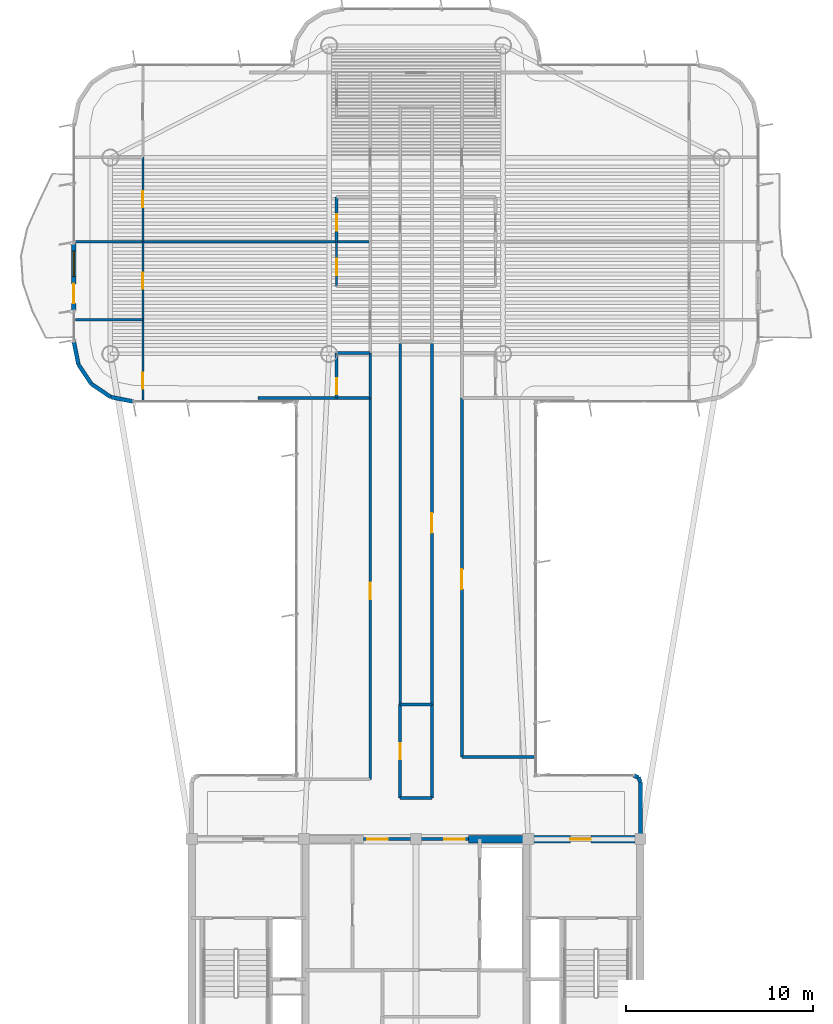
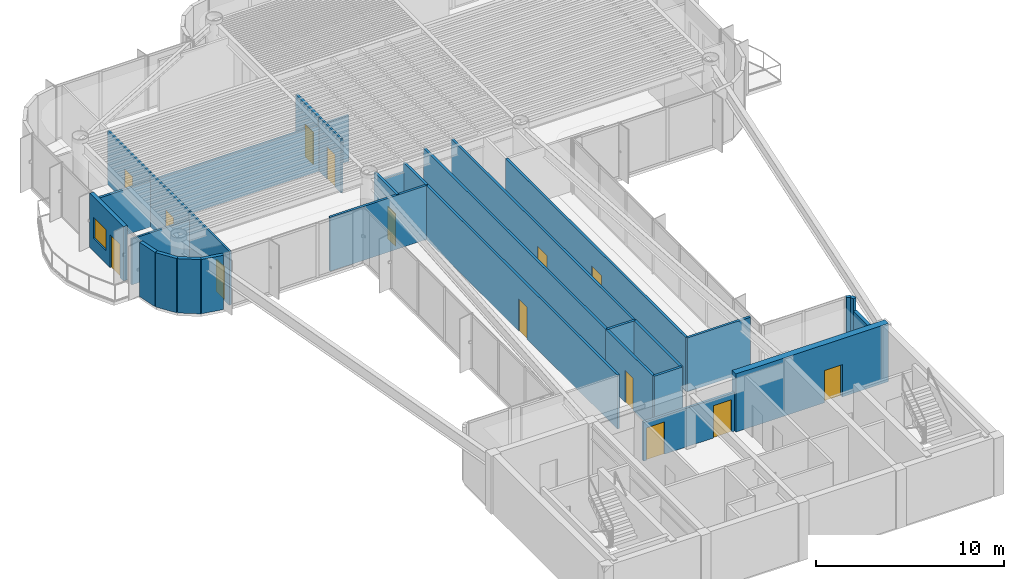
# One storey, part 11 of 16: 30 walls, 14 doors, 1 window, 15 openings.
"""IFC4 building model written with IfcOpenShell, lengths in metres."""

from ifc_helpers import new_model, si_unit, direction, frame, frame_2d, origin, origin_2d, place, context, subcontext, project, spatial, rectangle, extrude, source, transform, mapped, material, layer, layer_set, type_object, element, fill, save


model = new_model("IFC4")

# Units and contexts
model_context = context("Model", 3, precision=1e-05, world=origin(), true_north=direction((0.0, 1.0)))
body_context = subcontext(model_context, "Body", "Model", "MODEL_VIEW")
ifc_project = project(units=[si_unit("LENGTHUNIT", "METRE"), si_unit("AREAUNIT", "SQUARE_METRE"), si_unit("VOLUMEUNIT", "CUBIC_METRE"), si_unit("PLANEANGLEUNIT", "RADIAN"), si_unit("MASSUNIT", "GRAM", prefix="KILO")], contexts=[model_context])

# Site, building, storey
site_placement = place(None, origin())
site = spatial("IfcSite", under=ifc_project, at=site_placement, CompositionType="ELEMENT")
building_placement = place(site_placement, origin())
building = spatial("IfcBuilding", under=site, at=building_placement, Name="Brelvock Crest Care Tower", CompositionType="ELEMENT")
storey_placement = place(building_placement, frame((0.0, 0.0, 226.800048828125)))
storey = spatial("IfcBuildingStorey", under=building, at=storey_placement, Name="L57", CompositionType="ELEMENT", Elevation=226.800048828125)

# Wall, opening, door
ifc_material_1 = material(Name="Concrete S65 (65 MPa)", Category="concrete")
ifc_layer_1 = layer(ifc_material_1, 0.39990234375, Name="WL-CS4")
ifc_layer_set_1 = layer_set([ifc_layer_1], Name="Concrete S65 (65 MPa)")
wall_type_1 = type_object("IfcWallType", Name="WL-CS4", PredefinedType="SHEAR", material=ifc_layer_set_1)
wall_1_placement = place(storey_placement, frame((38.800048828125, 18.0, 0.0), z_axis=(0.0, 0.0, 1.0), x_axis=(1.0, 0.0, 0.0)))
wall_1 = element("IfcWall", 1, at=wall_1_placement, inside=storey, type_object=wall_type_1, Name="L57 Core North-East Shear Wall", PredefinedType="SHEAR", context=body_context, shape_type="SweptSolid", body=[
    extrude(rectangle(XDim=9.39990234375, YDim=0.39990234375, at=frame_2d((4.699951171875, 0.0))), origin(), (0.0, 0.0, 1.0), 3.780029296875),
])
opening_1_placement = place(wall_1_placement, frame((5.449951171875, 0.0, 0.0)))
opening_1 = element("IfcOpeningElement", 2, at=opening_1_placement, cuts=wall_1, Name="Opening FD-1", PredefinedType="OPENING", context=body_context, shape_type="SweptSolid", body=[
    extrude(rectangle(XDim=1.10009765625, YDim=2.10009765625, at=origin_2d()), frame((0.550048828125, 0.2099609375, 1.050048828125), z_axis=(0.0, -1.0, 0.0), x_axis=(1.0, 0.0, 0.0)), (0.0, 0.0, 1.0), 0.419921875),
])
ifc_material_2 = material(Name="Steel Grade 350", Category="steel")
door_type_1 = type_object("IfcDoorType", Name="DR-FFL1", OperationType="NOTDEFINED", PredefinedType="DOOR", material=ifc_material_2)
shared_shape_1 = source(origin(), body_context, "Body", "SweptSolid", [
    extrude(rectangle(XDim=1.10009765625, YDim=2.10009765625, at=origin_2d()), frame((0.550048828125, 0.02490234375, 1.050048828125), z_axis=(0.0, -1.0, 0.0), x_axis=(1.0, 0.0, 0.0)), (0.0, 0.0, 1.0), 0.050048828125),
])
door_1_placement = place(opening_1_placement, origin())
door_1 = element("IfcDoor", 3, at=door_1_placement, inside=storey, type_object=door_type_1, Name="L57 Firefighting Lobby FFL-2 Exit Door", OperationType="SINGLE_SWING_RIGHT", OverallHeight=2.10009765625, OverallWidth=1.10009765625, PredefinedType="DOOR", context=body_context, shape_type="MappedRepresentation", body=[
    mapped(shared_shape_1, transform((0.0, 0.0, 0.0), x_axis=(1.0, 0.0, 0.0), y_axis=(0.0, 1.0, 0.0), z_axis=(0.0, 0.0, 1.0), scale=1.0)),
])
fill(opening_1, door_1)

# Wall, openings, door, window
ifc_material_3 = material(Name="Precast concrete N40 (40 MPa)", Category="concrete")
ifc_layer_2 = layer(ifc_material_3, 0.239990234375, Name="WL-EX1")
ifc_layer_set_2 = layer_set([ifc_layer_2], Name="Precast concrete N40 (40 MPa)")
wall_type_2 = type_object("IfcWallType", Name="WL-EX1", PredefinedType="SOLIDWALL", material=ifc_layer_set_2)
wall_2_placement = place(storey_placement, frame((17.699951171875, 46.25, 0.0), z_axis=(0.0, 0.0, 1.0), x_axis=(0.0, 1.0, 0.0)))
wall_2 = element("IfcWall", 4, at=wall_2_placement, inside=storey, type_object=wall_type_2, Name="L57 Exterior Spandrel Wall WL-BAL-L57-W", PredefinedType="SOLIDWALL", context=body_context, shape_type="SweptSolid", body=[
    extrude(rectangle(XDim=3.60009765625, YDim=0.239990234375, at=frame_2d((1.800048828125, 0.0))), origin(), (0.0, 0.0, 1.0), 3.530029296875),
])
opening_2_placement = place(wall_2_placement, frame((0.39990234375, 0.0, 0.0)))
opening_2 = element("IfcOpeningElement", 5, at=opening_2_placement, cuts=wall_2, Name="Opening BD-1", PredefinedType="OPENING", context=body_context, shape_type="SweptSolid", body=[
    extrude(rectangle(XDim=1.050048828125, YDim=2.14990234375, at=origin_2d()), frame((0.52490234375, 0.1298828125, 1.074951171875), z_axis=(0.0, -1.0, 0.0), x_axis=(1.0, 0.0, 0.0)), (0.0, 0.0, 1.0), 0.260009765625),
])
opening_3_placement = place(wall_2_placement, frame((1.85009765625, 0.0, 0.85009765625)))
opening_3 = element("IfcOpeningElement", 6, at=opening_3_placement, cuts=wall_2, Name="Opening W-01", PredefinedType="OPENING", context=body_context, shape_type="SweptSolid", body=[
    extrude(rectangle(XDim=1.35009765625, YDim=1.35009765625, at=origin_2d()), frame((0.675048828125, 0.1298828125, 0.675048828125), z_axis=(0.0, -1.0, 0.0), x_axis=(1.0, 0.0, 0.0)), (0.0, 0.0, 1.0), 0.260009765625),
])
ifc_material_4 = material(Name="Dark Glass Double Glazed Low-E", Category="glass")
door_type_2 = type_object("IfcDoorType", Name="DR-BAL1", OperationType="NOTDEFINED", PredefinedType="DOOR", material=ifc_material_4)
shared_shape_2 = source(origin(), body_context, "Body", "SweptSolid", [
    extrude(rectangle(XDim=1.050048828125, YDim=2.14990234375, at=origin_2d()), frame((0.52490234375, 0.02490234375, 1.074951171875), z_axis=(0.0, -1.0, 0.0), x_axis=(1.0, 0.0, 0.0)), (0.0, 0.0, 1.0), 0.050048828125),
])
door_2_placement = place(opening_2_placement, origin())
door_2 = element("IfcDoor", 7, at=door_2_placement, inside=storey, type_object=door_type_2, Name="L57 W Wave Balcony Glazed Door", OperationType="SINGLE_SWING_LEFT", OverallHeight=2.14990234375, OverallWidth=1.050048828125, PredefinedType="DOOR", context=body_context, shape_type="MappedRepresentation", body=[
    mapped(shared_shape_2, transform((0.0, 0.0, 0.0), x_axis=(1.0, 0.0, 0.0), y_axis=(0.0, 1.0, 0.0), z_axis=(0.0, 0.0, 1.0), scale=1.0)),
])
fill(opening_2, door_2)
window_type = type_object("IfcWindowType", Name="WN-EX1", PartitioningType="SINGLE_PANEL", PredefinedType="WINDOW", material=ifc_material_4)
shared_shape_3 = source(origin(), body_context, "Body", "SweptSolid", [
    extrude(rectangle(XDim=1.35009765625, YDim=1.35009765625, at=origin_2d()), frame((0.675048828125, 0.030029296875, 0.675048828125), z_axis=(0.0, -1.0, 0.0), x_axis=(1.0, 0.0, 0.0)), (0.0, 0.0, 1.0), 0.06005859375),
])
window_placement = place(opening_3_placement, origin())
window = element("IfcWindow", 8, at=window_placement, inside=storey, type_object=window_type, Name="L57 W Suite Casement Window", OverallHeight=1.35009765625, OverallWidth=1.35009765625, PartitioningType="SINGLE_PANEL", PredefinedType="WINDOW", context=body_context, shape_type="MappedRepresentation", body=[
    mapped(shared_shape_3, transform((0.0, 0.0, 0.0), x_axis=(1.0, 0.0, 0.0), y_axis=(0.0, 1.0, 0.0), z_axis=(0.0, 0.0, 1.0), scale=1.0)),
])
fill(opening_3, window)

# Walls
ifc_layer_3 = layer(ifc_material_3, 0.215087890625, Name="WL-EX2")
ifc_layer_set_3 = layer_set([ifc_layer_3], Name="Precast concrete N40 (40 MPa)")
wall_type_3 = type_object("IfcWallType", Name="WL-EX2", PredefinedType="SOLIDWALL", material=ifc_layer_set_3)
wall_3_placement = place(storey_placement, frame((47.8974609375, 21.297607421875, 0.0), z_axis=(0.0, 0.0, 1.0), x_axis=(0.382673670509, -0.923883575944, 0.0)))
element("IfcWall", 9, at=wall_3_placement, inside=storey, type_object=wall_type_3, Name="L57 Rounded Corner Wall 00", PredefinedType="SOLIDWALL", context=body_context, shape_type="SweptSolid", body=[
    extrude(rectangle(XDim=0.26806640625, YDim=0.215087890625, at=frame_2d((0.134033203125, 0.0))), origin(), (0.0, 0.0, 1.0), 3.530029296875),
])
wall_4_placement = place(storey_placement, frame((48.0, 21.050048828125, 0.0), z_axis=(0.0, 0.0, 1.0), x_axis=(0.0, -1.0, 0.0)))
element("IfcWall", 10, at=wall_4_placement, inside=storey, type_object=wall_type_3, Name="L57 Rounded Corner Wall 01", PredefinedType="SOLIDWALL", context=body_context, shape_type="SweptSolid", body=[
    extrude(rectangle(XDim=2.77001953125, YDim=0.215087890625, at=frame_2d((1.385009765625, 0.0))), origin(), (0.0, 0.0, 1.0), 2.718017578125),
])
for number, where, z_axis, x_axis, name in (
    (11, (20.89990234375, 41.39990234375, 0.0), (0.0, 0.0, 1.0), (-0.980775717779, 0.195138390419, 0.0), "L57 Rounded Corner Wall 13"),
    (12, (19.67529296875, 41.6435546875, 0.0), (0.0, 0.0, 1.0), (-0.831387912822, 0.555692485475, 0.0), "L57 Rounded Corner Wall 14"),
    (13, (18.63720703125, 42.33740234375, 0.0), (0.0, 0.0, 1.0), (-0.555557312883, 0.831478245117, 0.0), "L57 Rounded Corner Wall 15"),
    (14, (17.943603515625, 43.37548828125, 0.0), (0.0, 0.0, 1.0), (-0.195138390419, 0.980775717779, 0.0), "L57 Rounded Corner Wall 16"),
):
    element("IfcWall", number, at=place(storey_placement, frame(where, z_axis=z_axis, x_axis=x_axis)), inside=storey, type_object=wall_type_3, Name=name, PredefinedType="SOLIDWALL", context=body_context, shape_type="SweptSolid", body=[
        extrude(rectangle(XDim=1.24853515625, YDim=0.215087890625, at=frame_2d((0.624267578125, 0.0))), origin(), (0.0, 0.0, 1.0), 3.530029296875),
    ])
wall_5_placement = place(storey_placement, frame((47.64990234375, 21.39990234375, 0.0), z_axis=(0.0, 0.0, 1.0), x_axis=(0.924205486139, -0.381895560841, 0.0)))
element("IfcWall", 15, at=wall_5_placement, inside=storey, type_object=wall_type_3, Name="L57 Rounded Corner Wall 47", PredefinedType="SOLIDWALL", context=body_context, shape_type="SweptSolid", body=[
    extrude(rectangle(XDim=0.267822265625, YDim=0.215087890625, at=frame_2d((0.1337890625, 0.0))), origin(), (0.0, 0.0, 1.0), 3.530029296875),
])

# Wall, openings, doors
ifc_material_5 = material(Name="Masonry Blockwork Acoustic Partition", Category="masonry")
ifc_layer_4 = layer(ifc_material_5, 0.14990234375, Name="WL-INT1")
ifc_layer_set_4 = layer_set([ifc_layer_4], Name="Masonry Blockwork Acoustic Partition")
wall_type_4 = type_object("IfcWallType", Name="WL-INT1", PredefinedType="PARTITIONING", material=ifc_layer_set_4)
wall_6_placement = place(storey_placement, frame((33.199951171875, 18.0, 0.0), z_axis=(0.0, 0.0, 1.0), x_axis=(1.0, 0.0, 0.0)))
wall_6 = element("IfcWall", 16, at=wall_6_placement, inside=storey, type_object=wall_type_4, Name="L57 Interior Wall WL-CORE-NPORT-L57", PredefinedType="PARTITIONING", context=body_context, shape_type="SweptSolid", body=[
    extrude(rectangle(XDim=5.60009765625, YDim=0.14990234375, at=frame_2d((2.800048828125, 0.0))), origin(), (0.0, 0.0, 1.0), 2.514892578125),
])
opening_4_placement = place(wall_6_placement, frame((0.18994140625, 0.0, 0.0)))
opening_4 = element("IfcOpeningElement", 17, at=opening_4_placement, cuts=wall_6, Name="Opening FD-1", PredefinedType="OPENING", context=body_context, shape_type="SweptSolid", body=[
    extrude(rectangle(XDim=1.10009765625, YDim=2.10009765625, at=origin_2d()), frame((0.550048828125, 0.0849609375, 1.050048828125), z_axis=(0.0, -1.0, 0.0), x_axis=(1.0, 0.0, 0.0)), (0.0, 0.0, 1.0), 0.169921875),
])
opening_5_placement = place(wall_6_placement, frame((4.31005859375, 0.0, 0.0)))
opening_5 = element("IfcOpeningElement", 18, at=opening_5_placement, cuts=wall_6, Name="Opening FD-1", PredefinedType="OPENING", context=body_context, shape_type="SweptSolid", body=[
    extrude(rectangle(XDim=1.10009765625, YDim=2.10009765625, at=origin_2d()), frame((0.550048828125, 0.0849609375, 1.050048828125), z_axis=(0.0, -1.0, 0.0), x_axis=(1.0, 0.0, 0.0)), (0.0, 0.0, 1.0), 0.169921875),
])
door_3_placement = place(opening_4_placement, origin())
door_3 = element("IfcDoor", 19, at=door_3_placement, inside=storey, type_object=door_type_1, Name="L57 Lift Lobby North Smoke Door West", OperationType="SINGLE_SWING_LEFT", OverallHeight=2.10009765625, OverallWidth=1.10009765625, PredefinedType="DOOR", context=body_context, shape_type="MappedRepresentation", body=[
    mapped(shared_shape_1, transform((0.0, 0.0, 0.0), x_axis=(1.0, 0.0, 0.0), y_axis=(0.0, 1.0, 0.0), z_axis=(0.0, 0.0, 1.0), scale=1.0)),
])
fill(opening_4, door_3)
door_4_placement = place(opening_5_placement, origin())
door_4 = element("IfcDoor", 20, at=door_4_placement, inside=storey, type_object=door_type_1, Name="L57 Lift Lobby North Smoke Door East", OperationType="SINGLE_SWING_RIGHT", OverallHeight=2.10009765625, OverallWidth=1.10009765625, PredefinedType="DOOR", context=body_context, shape_type="MappedRepresentation", body=[
    mapped(shared_shape_1, transform((0.0, 0.0, 0.0), x_axis=(1.0, 0.0, 0.0), y_axis=(0.0, 1.0, 0.0), z_axis=(0.0, 0.0, 1.0), scale=1.0)),
])
fill(opening_5, door_4)

# Walls
wall_7_placement = place(storey_placement, frame((38.449951171875, 22.39990234375, 0.0), z_axis=(0.0, 0.0, 1.0), x_axis=(1.0, 0.0, 0.0)))
element("IfcWall", 21, at=wall_7_placement, inside=storey, type_object=wall_type_4, Name="L57 Interior Wall WL-BX-L57-THRE-S", PredefinedType="PARTITIONING", context=body_context, shape_type="SweptSolid", body=[
    extrude(rectangle(XDim=3.873291015625, YDim=0.14990234375, at=frame_2d((1.9365234375, 0.0))), origin(), (0.0, 0.0, 1.0), 3.5),
])
wall_8_placement = place(storey_placement, frame((27.557861328125, 41.60009765625, 0.0), z_axis=(0.0, 0.0, 1.0), x_axis=(1.0, 0.0, 0.0)))
element("IfcWall", 22, at=wall_8_placement, inside=storey, type_object=wall_type_4, Name="L57 Interior Wall WL-BX-L57-FL-WF1-S2", PredefinedType="PARTITIONING", context=body_context, shape_type="SweptSolid", body=[
    extrude(rectangle(XDim=5.9921875, YDim=0.14990234375, at=frame_2d((2.99609375, 0.0))), origin(), (0.0, 0.0, 1.0), 3.5),
])
wall_9_placement = place(storey_placement, frame((17.780029296875, 49.951904296875, 0.0), z_axis=(0.0, 0.0, 1.0), x_axis=(1.0, 0.0, 0.0)))
element("IfcWall", 23, at=wall_9_placement, inside=storey, type_object=wall_type_4, Name="L57 Interior Wall WL-BX-L57-FL-WF1-N", PredefinedType="PARTITIONING", context=body_context, shape_type="SweptSolid", body=[
    extrude(rectangle(XDim=15.77001953125, YDim=0.14990234375, at=frame_2d((7.885009765625, 0.0))), origin(), (0.0, 0.0, 1.0), 2.98193359375),
])

# Wall, opening, door
wall_10_placement = place(storey_placement, frame((33.550048828125, 21.199951171875, 0.0), z_axis=(0.0, 0.0, 1.0), x_axis=(0.0, 1.0, 0.0)))
wall_10 = element("IfcWall", 24, at=wall_10_placement, inside=storey, type_object=wall_type_4, Name="L57 Interior Wall WL-RM-L57-THRW", PredefinedType="PARTITIONING", context=body_context, shape_type="SweptSolid", body=[
    extrude(rectangle(XDim=20.400146484375, YDim=0.14990234375, at=frame_2d((10.2001953125, 0.0))), origin(), (0.0, 0.0, 1.0), 3.5),
])
opening_6_placement = place(wall_10_placement, frame((9.639892578125, 0.0, 0.0)))
opening_6 = element("IfcOpeningElement", 25, at=opening_6_placement, cuts=wall_10, Name="Opening ID-1", PredefinedType="OPENING", context=body_context, shape_type="SweptSolid", body=[
    extrude(rectangle(XDim=0.860107421875, YDim=2.10009765625, at=origin_2d()), frame((0.43017578125, 0.0849609375, 1.050048828125), z_axis=(0.0, -1.0, 0.0), x_axis=(1.0, 0.0, 0.0)), (0.0, 0.0, 1.0), 0.169921875),
])
ifc_material_6 = material(Name="Engineered Hardwood Timber", Category="wood")
door_type_3 = type_object("IfcDoorType", Name="DR-INT1", OperationType="NOTDEFINED", PredefinedType="DOOR", material=ifc_material_6)
shared_shape_4 = source(origin(), body_context, "Body", "SweptSolid", [
    extrude(rectangle(XDim=0.860107421875, YDim=2.10009765625, at=origin_2d()), frame((0.43017578125, 0.02490234375, 1.050048828125), z_axis=(0.0, -1.0, 0.0), x_axis=(1.0, 0.0, 0.0)), (0.0, 0.0, 1.0), 0.050048828125),
])
door_5_placement = place(opening_6_placement, origin())
door_5 = element("IfcDoor", 26, at=door_5_placement, inside=storey, type_object=door_type_3, Name="L57 Quiet Family Consultation Room Door THRW", OperationType="SINGLE_SWING_LEFT", OverallHeight=2.10009765625, OverallWidth=0.860107421875, PredefinedType="DOOR", context=body_context, shape_type="MappedRepresentation", body=[
    mapped(shared_shape_4, transform((0.0, 0.0, 0.0), x_axis=(1.0, 0.0, 0.0), y_axis=(0.0, 1.0, 0.0), z_axis=(0.0, 0.0, 1.0), scale=1.0)),
])
fill(opening_6, door_5)

# Wall
wall_11_placement = place(storey_placement, frame((35.14990234375, 25.199951171875, 0.0), z_axis=(0.0, 0.0, 1.0), x_axis=(0.0, 1.0, 0.0)))
element("IfcWall", 27, at=wall_11_placement, inside=storey, type_object=wall_type_4, Name="L57 Interior Wall WL-BX-L57-ISNS-W", PredefinedType="PARTITIONING", context=body_context, shape_type="SweptSolid", body=[
    extrude(rectangle(XDim=19.420166015625, YDim=0.14990234375, at=frame_2d((9.7099609375, 0.0))), origin(), (0.0, 0.0, 1.0), 3.5),
])

# Wall, opening, door
wall_12_placement = place(storey_placement, frame((36.85009765625, 25.199951171875, 0.0), z_axis=(0.0, 0.0, 1.0), x_axis=(0.0, 1.0, 0.0)))
wall_12 = element("IfcWall", 28, at=wall_12_placement, inside=storey, type_object=wall_type_4, Name="L57 Interior Wall WL-RM-L57-ISNS", PredefinedType="PARTITIONING", context=body_context, shape_type="SweptSolid", body=[
    extrude(rectangle(XDim=19.420166015625, YDim=0.14990234375, at=frame_2d((9.7099609375, 0.0))), origin(), (0.0, 0.0, 1.0), 3.5),
])
opening_7_placement = place(wall_12_placement, frame((9.18505859375, 0.0, 0.0)))
opening_7 = element("IfcOpeningElement", 29, at=opening_7_placement, cuts=wall_12, Name="Opening CLD-1", PredefinedType="OPENING", context=body_context, shape_type="SweptSolid", body=[
    extrude(rectangle(XDim=1.050048828125, YDim=2.10009765625, at=origin_2d()), frame((0.52490234375, 0.0849609375, 1.050048828125), z_axis=(0.0, -1.0, 0.0), x_axis=(1.0, 0.0, 0.0)), (0.0, 0.0, 1.0), 0.169921875),
])
door_type_4 = type_object("IfcDoorType", Name="DR-CLN1", OperationType="NOTDEFINED", PredefinedType="DOOR", material=ifc_material_6)
shared_shape_5 = source(origin(), body_context, "Body", "SweptSolid", [
    extrude(rectangle(XDim=1.050048828125, YDim=2.10009765625, at=origin_2d()), frame((0.52490234375, 0.02490234375, 1.050048828125), z_axis=(0.0, -1.0, 0.0), x_axis=(1.0, 0.0, 0.0)), (0.0, 0.0, 1.0), 0.050048828125),
])
door_6_placement = place(opening_7_placement, origin())
door_6 = element("IfcDoor", 30, at=door_6_placement, inside=storey, type_object=door_type_4, Name="L57 Care Concierge and Triage Station Door ISNS", OperationType="SINGLE_SWING_LEFT", OverallHeight=2.10009765625, OverallWidth=1.050048828125, PredefinedType="DOOR", context=body_context, shape_type="MappedRepresentation", body=[
    mapped(shared_shape_5, transform((0.0, 0.0, 0.0), x_axis=(1.0, 0.0, 0.0), y_axis=(0.0, 1.0, 0.0), z_axis=(0.0, 0.0, 1.0), scale=1.0)),
])
fill(opening_7, door_6)

wall_13_placement = place(storey_placement, frame((38.449951171875, 22.39990234375, 0.0), z_axis=(0.0, 0.0, 1.0), x_axis=(0.0, 1.0, 0.0)))
wall_13 = element("IfcWall", 31, at=wall_13_placement, inside=storey, type_object=wall_type_4, Name="L57 Interior Wall WL-RM-L57-THRE", PredefinedType="PARTITIONING", context=body_context, shape_type="SweptSolid", body=[
    extrude(rectangle(XDim=19.2001953125, YDim=0.14990234375, at=frame_2d((9.60009765625, 0.0))), origin(), (0.0, 0.0, 1.0), 3.5),
])
opening_8_placement = place(wall_13_placement, frame((8.97509765625, 0.0, 0.0)))
opening_8 = element("IfcOpeningElement", 32, at=opening_8_placement, cuts=wall_13, Name="Opening CLD-1", PredefinedType="OPENING", context=body_context, shape_type="SweptSolid", body=[
    extrude(rectangle(XDim=1.050048828125, YDim=2.10009765625, at=origin_2d()), frame((0.52490234375, 0.0849609375, 1.050048828125), z_axis=(0.0, -1.0, 0.0), x_axis=(1.0, 0.0, 0.0)), (0.0, 0.0, 1.0), 0.169921875),
])
door_7_placement = place(opening_8_placement, origin())
door_7 = element("IfcDoor", 33, at=door_7_placement, inside=storey, type_object=door_type_4, Name="L57 Allied Health Therapy Room Door THRE", OperationType="SINGLE_SWING_LEFT", OverallHeight=2.10009765625, OverallWidth=1.050048828125, PredefinedType="DOOR", context=body_context, shape_type="MappedRepresentation", body=[
    mapped(shared_shape_5, transform((0.0, 0.0, 0.0), x_axis=(1.0, 0.0, 0.0), y_axis=(0.0, 1.0, 0.0), z_axis=(0.0, 0.0, 1.0), scale=1.0)),
])
fill(opening_8, door_7)

# Wall
ifc_material_7 = material(Name="Gypsum Plasterboard Partition", Category="gypsum")
ifc_layer_5 = layer(ifc_material_7, 0.1201171875, Name="WL-INT2")
ifc_layer_set_5 = layer_set([ifc_layer_5], Name="Gypsum Plasterboard Partition")
wall_type_5 = type_object("IfcWallType", Name="WL-INT2", PredefinedType="PARTITIONING", material=ifc_layer_set_5)
wall_14_placement = place(storey_placement, frame((17.780029296875, 45.77587890625, 0.0), z_axis=(0.0, 0.0, 1.0), x_axis=(1.0, 0.0, 0.0)))
element("IfcWall", 34, at=wall_14_placement, inside=storey, type_object=wall_type_5, Name="L57 Interior Wall WL-UBSP-L57-WF1", PredefinedType="PARTITIONING", context=body_context, shape_type="SweptSolid", body=[
    extrude(rectangle(XDim=3.60986328125, YDim=0.1201171875, at=frame_2d((1.804931640625, 0.0))), origin(), (0.0, 0.0, 1.0), 2.98193359375),
])

# Wall, opening, door
wall_15_placement = place(storey_placement, frame((21.389892578125, 41.47998046875, 0.0), z_axis=(0.0, 0.0, 1.0), x_axis=(0.0, 1.0, 0.0)))
wall_15 = element("IfcWall", 35, at=wall_15_placement, inside=storey, type_object=wall_type_5, Name="L57 Interior Wall WL-UBD1-L57-WF1", PredefinedType="PARTITIONING", context=body_context, shape_type="SweptSolid", body=[
    extrude(rectangle(XDim=4.2958984375, YDim=0.1201171875, at=frame_2d((2.14794921875, 0.0))), origin(), (0.0, 0.0, 1.0), 3.5),
])
opening_9_placement = place(wall_15_placement, frame((0.597900390625, 0.0, 0.0)))
opening_9 = element("IfcOpeningElement", 36, at=opening_9_placement, cuts=wall_15, Name="Opening ID-1", PredefinedType="OPENING", context=body_context, shape_type="SweptSolid", body=[
    extrude(rectangle(XDim=0.860107421875, YDim=2.10009765625, at=origin_2d()), frame((0.43017578125, 0.070068359375, 1.050048828125), z_axis=(0.0, -1.0, 0.0), x_axis=(1.0, 0.0, 0.0)), (0.0, 0.0, 1.0), 0.14013671875),
])
door_8_placement = place(opening_9_placement, origin())
door_8 = element("IfcDoor", 37, at=door_8_placement, inside=storey, type_object=door_type_3, Name="L57 Primary Bedroom Door WF1", OperationType="SINGLE_SWING_RIGHT", OverallHeight=2.10009765625, OverallWidth=0.860107421875, PredefinedType="DOOR", context=body_context, shape_type="MappedRepresentation", body=[
    mapped(shared_shape_4, transform((0.0, 0.0, 0.0), x_axis=(1.0, 0.0, 0.0), y_axis=(0.0, 1.0, 0.0), z_axis=(0.0, 0.0, 1.0), scale=1.0)),
])
fill(opening_9, door_8)

wall_16_placement = place(storey_placement, frame((21.389892578125, 45.77587890625, 0.0), z_axis=(0.0, 0.0, 1.0), x_axis=(0.0, 1.0, 0.0)))
wall_16 = element("IfcWall", 38, at=wall_16_placement, inside=storey, type_object=wall_type_5, Name="L57 Interior Wall WL-UBD2-L57-WF1", PredefinedType="PARTITIONING", context=body_context, shape_type="SweptSolid", body=[
    extrude(rectangle(XDim=4.176025390625, YDim=0.1201171875, at=frame_2d((2.087890625, 0.0))), origin(), (0.0, 0.0, 1.0), 3.5),
])
opening_10_placement = place(wall_16_placement, frame((1.657958984375, 0.0, 0.0)))
opening_10 = element("IfcOpeningElement", 39, at=opening_10_placement, cuts=wall_16, Name="Opening ID-1", PredefinedType="OPENING", context=body_context, shape_type="SweptSolid", body=[
    extrude(rectangle(XDim=0.860107421875, YDim=2.10009765625, at=origin_2d()), frame((0.43017578125, 0.070068359375, 1.050048828125), z_axis=(0.0, -1.0, 0.0), x_axis=(1.0, 0.0, 0.0)), (0.0, 0.0, 1.0), 0.14013671875),
])
door_9_placement = place(opening_10_placement, origin())
door_9 = element("IfcDoor", 40, at=door_9_placement, inside=storey, type_object=door_type_3, Name="L57 Second Room Door WF1", OperationType="SINGLE_SWING_LEFT", OverallHeight=2.10009765625, OverallWidth=0.860107421875, PredefinedType="DOOR", context=body_context, shape_type="MappedRepresentation", body=[
    mapped(shared_shape_4, transform((0.0, 0.0, 0.0), x_axis=(1.0, 0.0, 0.0), y_axis=(0.0, 1.0, 0.0), z_axis=(0.0, 0.0, 1.0), scale=1.0)),
])
fill(opening_10, door_9)

wall_17_placement = place(storey_placement, frame((21.389892578125, 49.951904296875, 0.0), z_axis=(0.0, 0.0, 1.0), x_axis=(0.0, 1.0, 0.0)))
wall_17 = element("IfcWall", 41, at=wall_17_placement, inside=storey, type_object=wall_type_5, Name="L57 Interior Wall WL-UBD1-L57-WF2", PredefinedType="PARTITIONING", context=body_context, shape_type="SweptSolid", body=[
    extrude(rectangle(XDim=4.524169921875, YDim=0.1201171875, at=frame_2d((2.26220703125, 0.0))), origin(), (0.0, 0.0, 1.0), 3.5),
])
opening_11_placement = place(wall_17_placement, frame((1.83203125, 0.0, 0.0)))
opening_11 = element("IfcOpeningElement", 42, at=opening_11_placement, cuts=wall_17, Name="Opening ID-1", PredefinedType="OPENING", context=body_context, shape_type="SweptSolid", body=[
    extrude(rectangle(XDim=0.860107421875, YDim=2.10009765625, at=origin_2d()), frame((0.43017578125, 0.070068359375, 1.050048828125), z_axis=(0.0, -1.0, 0.0), x_axis=(1.0, 0.0, 0.0)), (0.0, 0.0, 1.0), 0.14013671875),
])
door_10_placement = place(opening_11_placement, origin())
door_10 = element("IfcDoor", 43, at=door_10_placement, inside=storey, type_object=door_type_3, Name="L57 Primary Bedroom Door WF2", OperationType="SINGLE_SWING_RIGHT", OverallHeight=2.10009765625, OverallWidth=0.860107421875, PredefinedType="DOOR", context=body_context, shape_type="MappedRepresentation", body=[
    mapped(shared_shape_4, transform((0.0, 0.0, 0.0), x_axis=(1.0, 0.0, 0.0), y_axis=(0.0, 1.0, 0.0), z_axis=(0.0, 0.0, 1.0), scale=1.0)),
])
fill(opening_11, door_10)

wall_18_placement = place(storey_placement, frame((31.75, 47.552001953125, 0.0), z_axis=(0.0, 0.0, 1.0), x_axis=(0.0, 1.0, 0.0)))
wall_18 = element("IfcWall", 44, at=wall_18_placement, inside=storey, type_object=wall_type_5, Name="L57 Interior Wall WL-UKIT1-L57-WF1", PredefinedType="PARTITIONING", context=body_context, shape_type="SweptSolid", body=[
    extrude(rectangle(XDim=2.39990234375, YDim=0.1201171875, at=frame_2d((1.199951171875, 0.0))), origin(), (0.0, 0.0, 1.0), 3.5),
])
opening_12_placement = place(wall_18_placement, frame((0.6201171875, 0.0, 0.0)))
opening_12 = element("IfcOpeningElement", 45, at=opening_12_placement, cuts=wall_18, Name="Opening ID-1", PredefinedType="OPENING", context=body_context, shape_type="SweptSolid", body=[
    extrude(rectangle(XDim=0.860107421875, YDim=2.10009765625, at=origin_2d()), frame((0.43017578125, 0.070068359375, 1.050048828125), z_axis=(0.0, -1.0, 0.0), x_axis=(1.0, 0.0, 0.0)), (0.0, 0.0, 1.0), 0.14013671875),
])
door_11_placement = place(opening_12_placement, origin())
door_11 = element("IfcDoor", 46, at=door_11_placement, inside=storey, type_object=door_type_3, Name="L57 Kitchen Door WF1", OperationType="SINGLE_SWING_LEFT", OverallHeight=2.10009765625, OverallWidth=0.860107421875, PredefinedType="DOOR", context=body_context, shape_type="MappedRepresentation", body=[
    mapped(shared_shape_4, transform((0.0, 0.0, 0.0), x_axis=(1.0, 0.0, 0.0), y_axis=(0.0, 1.0, 0.0), z_axis=(0.0, 0.0, 1.0), scale=1.0)),
])
fill(opening_12, door_11)

# Walls
ifc_layer_6 = layer(ifc_material_7, 0.159912109375, Name="WL-PLM1")
ifc_layer_set_6 = layer_set([ifc_layer_6], Name="Gypsum Plasterboard Partition")
wall_type_6 = type_object("IfcWallType", Name="WL-PLM1", PredefinedType="PLUMBINGWALL", material=ifc_layer_set_6)
for number, where, z_axis, x_axis, name in (
    (47, (35.14990234375, 20.199951171875, 0.0), (0.0, 0.0, 1.0), (1.0, 0.0, 0.0), "L57 Interior Wall WL-BX-L57-ISWC-S"),
    (48, (35.14990234375, 25.199951171875, 0.0), (0.0, 0.0, 1.0), (1.0, 0.0, 0.0), "L57 Interior Wall WL-BX-L57-ISNS-S"),
):
    element("IfcWall", number, at=place(storey_placement, frame(where, z_axis=z_axis, x_axis=x_axis)), inside=storey, type_object=wall_type_6, Name=name, PredefinedType="PLUMBINGWALL", context=body_context, shape_type="SweptSolid", body=[
        extrude(rectangle(XDim=1.7001953125, YDim=0.159912109375, at=frame_2d((0.85009765625, 0.0))), origin(), (0.0, 0.0, 1.0), 3.5),
    ])
wall_19_placement = place(storey_placement, frame((31.75, 44.0, 0.0), z_axis=(0.0, 0.0, 1.0), x_axis=(1.0, 0.0, 0.0)))
element("IfcWall", 49, at=wall_19_placement, inside=storey, type_object=wall_type_6, Name="L57 Interior Wall WL-UBTH2-L57-WF1", PredefinedType="PLUMBINGWALL", context=body_context, shape_type="SweptSolid", body=[
    extrude(rectangle(XDim=1.800048828125, YDim=0.159912109375, at=frame_2d((0.89990234375, 0.0))), origin(), (0.0, 0.0, 1.0), 2.90283203125),
])

# Wall, opening, door
wall_20_placement = place(storey_placement, frame((31.75, 41.60009765625, 0.0), z_axis=(0.0, 0.0, 1.0), x_axis=(0.0, 1.0, 0.0)))
wall_20 = element("IfcWall", 50, at=wall_20_placement, inside=storey, type_object=wall_type_6, Name="L57 Interior Wall WL-UBTH1-L57-WF1", PredefinedType="PLUMBINGWALL", context=body_context, shape_type="SweptSolid", body=[
    extrude(rectangle(XDim=2.39990234375, YDim=0.159912109375, at=frame_2d((1.199951171875, 0.0))), origin(), (0.0, 0.0, 1.0), 3.5),
])
opening_13_placement = place(wall_20_placement, frame((0.199951171875, 0.0, 0.0)))
opening_13 = element("IfcOpeningElement", 51, at=opening_13_placement, cuts=wall_20, Name="Opening WD-1", PredefinedType="OPENING", context=body_context, shape_type="SweptSolid", body=[
    extrude(rectangle(XDim=0.860107421875, YDim=2.10009765625, at=origin_2d()), frame((0.43017578125, 0.08984375, 1.050048828125), z_axis=(0.0, -1.0, 0.0), x_axis=(1.0, 0.0, 0.0)), (0.0, 0.0, 1.0), 0.179931640625),
])
door_type_5 = type_object("IfcDoorType", Name="DR-WC1", OperationType="NOTDEFINED", PredefinedType="DOOR", material=ifc_material_6)
shared_shape_6 = source(origin(), body_context, "Body", "SweptSolid", [
    extrude(rectangle(XDim=0.860107421875, YDim=2.10009765625, at=origin_2d()), frame((0.43017578125, 0.02490234375, 1.050048828125), z_axis=(0.0, -1.0, 0.0), x_axis=(1.0, 0.0, 0.0)), (0.0, 0.0, 1.0), 0.050048828125),
])
door_12_placement = place(opening_13_placement, origin())
door_12 = element("IfcDoor", 52, at=door_12_placement, inside=storey, type_object=door_type_5, Name="L57 Bathroom Door WF1", OperationType="SINGLE_SWING_LEFT", OverallHeight=2.10009765625, OverallWidth=0.860107421875, PredefinedType="DOOR", context=body_context, shape_type="MappedRepresentation", body=[
    mapped(shared_shape_6, transform((0.0, 0.0, 0.0), x_axis=(1.0, 0.0, 0.0), y_axis=(0.0, 1.0, 0.0), z_axis=(0.0, 0.0, 1.0), scale=1.0)),
])
fill(opening_13, door_12)

wall_21_placement = place(storey_placement, frame((31.75, 49.951904296875, 0.0), z_axis=(0.0, 0.0, 1.0), x_axis=(0.0, 1.0, 0.0)))
wall_21 = element("IfcWall", 53, at=wall_21_placement, inside=storey, type_object=wall_type_6, Name="L57 Interior Wall WL-UBTH1-L57-WF2", PredefinedType="PLUMBINGWALL", context=body_context, shape_type="SweptSolid", body=[
    extrude(rectangle(XDim=2.400146484375, YDim=0.159912109375, at=frame_2d((1.2001953125, 0.0))), origin(), (0.0, 0.0, 1.0), 3.5),
])
opening_14_placement = place(wall_21_placement, frame((0.60009765625, 0.0, 0.0)))
opening_14 = element("IfcOpeningElement", 54, at=opening_14_placement, cuts=wall_21, Name="Opening WD-1", PredefinedType="OPENING", context=body_context, shape_type="SweptSolid", body=[
    extrude(rectangle(XDim=0.860107421875, YDim=2.10009765625, at=origin_2d()), frame((0.43017578125, 0.08984375, 1.050048828125), z_axis=(0.0, -1.0, 0.0), x_axis=(1.0, 0.0, 0.0)), (0.0, 0.0, 1.0), 0.179931640625),
])
door_13_placement = place(opening_14_placement, origin())
door_13 = element("IfcDoor", 55, at=door_13_placement, inside=storey, type_object=door_type_5, Name="L57 Bathroom Door WF2", OperationType="SINGLE_SWING_LEFT", OverallHeight=2.10009765625, OverallWidth=0.860107421875, PredefinedType="DOOR", context=body_context, shape_type="MappedRepresentation", body=[
    mapped(shared_shape_6, transform((0.0, 0.0, 0.0), x_axis=(1.0, 0.0, 0.0), y_axis=(0.0, 1.0, 0.0), z_axis=(0.0, 0.0, 1.0), scale=1.0)),
])
fill(opening_14, door_13)

# Wall
wall_22_placement = place(storey_placement, frame((33.550048828125, 41.60009765625, 0.0), z_axis=(0.0, 0.0, 1.0), x_axis=(0.0, 1.0, 0.0)))
element("IfcWall", 56, at=wall_22_placement, inside=storey, type_object=wall_type_6, Name="L57 Interior Wall WL-UCB-L57-WF1", PredefinedType="PLUMBINGWALL", context=body_context, shape_type="SweptSolid", body=[
    extrude(rectangle(XDim=2.39990234375, YDim=0.159912109375, at=frame_2d((1.199951171875, 0.0))), origin(), (0.0, 0.0, 1.0), 3.5),
])

# Wall, opening, door
wall_23_placement = place(storey_placement, frame((35.14990234375, 20.199951171875, 0.0), z_axis=(0.0, 0.0, 1.0), x_axis=(0.0, 1.0, 0.0)))
wall_23 = element("IfcWall", 57, at=wall_23_placement, inside=storey, type_object=wall_type_6, Name="L57 Interior Wall WL-RM-L57-ISWC", PredefinedType="PLUMBINGWALL", context=body_context, shape_type="SweptSolid", body=[
    extrude(rectangle(XDim=5.0, YDim=0.159912109375, at=frame_2d((2.5, 0.0))), origin(), (0.0, 0.0, 1.0), 3.5),
])
opening_15_placement = place(wall_23_placement, frame((2.070068359375, 0.0, 0.0)))
opening_15 = element("IfcOpeningElement", 58, at=opening_15_placement, cuts=wall_23, Name="Opening WD-1", PredefinedType="OPENING", context=body_context, shape_type="SweptSolid", body=[
    extrude(rectangle(XDim=0.860107421875, YDim=2.10009765625, at=origin_2d()), frame((0.43017578125, 0.08984375, 1.050048828125), z_axis=(0.0, -1.0, 0.0), x_axis=(1.0, 0.0, 0.0)), (0.0, 0.0, 1.0), 0.179931640625),
])
door_14_placement = place(opening_15_placement, origin())
door_14 = element("IfcDoor", 59, at=door_14_placement, inside=storey, type_object=door_type_5, Name="L57 High-Zone Accessible WC Door ISWC", OperationType="SINGLE_SWING_LEFT", OverallHeight=2.10009765625, OverallWidth=0.860107421875, PredefinedType="DOOR", context=body_context, shape_type="MappedRepresentation", body=[
    mapped(shared_shape_6, transform((0.0, 0.0, 0.0), x_axis=(1.0, 0.0, 0.0), y_axis=(0.0, 1.0, 0.0), z_axis=(0.0, 0.0, 1.0), scale=1.0)),
])
fill(opening_15, door_14)

# Wall
wall_24_placement = place(storey_placement, frame((36.85009765625, 20.199951171875, 0.0), z_axis=(0.0, 0.0, 1.0), x_axis=(0.0, 1.0, 0.0)))
element("IfcWall", 60, at=wall_24_placement, inside=storey, type_object=wall_type_6, Name="L57 Interior Wall WL-BX-L57-ISWC-E", PredefinedType="PLUMBINGWALL", context=body_context, shape_type="SweptSolid", body=[
    extrude(rectangle(XDim=5.0, YDim=0.159912109375, at=frame_2d((2.5, 0.0))), origin(), (0.0, 0.0, 1.0), 3.5),
])

save(model, "model.ifc")
